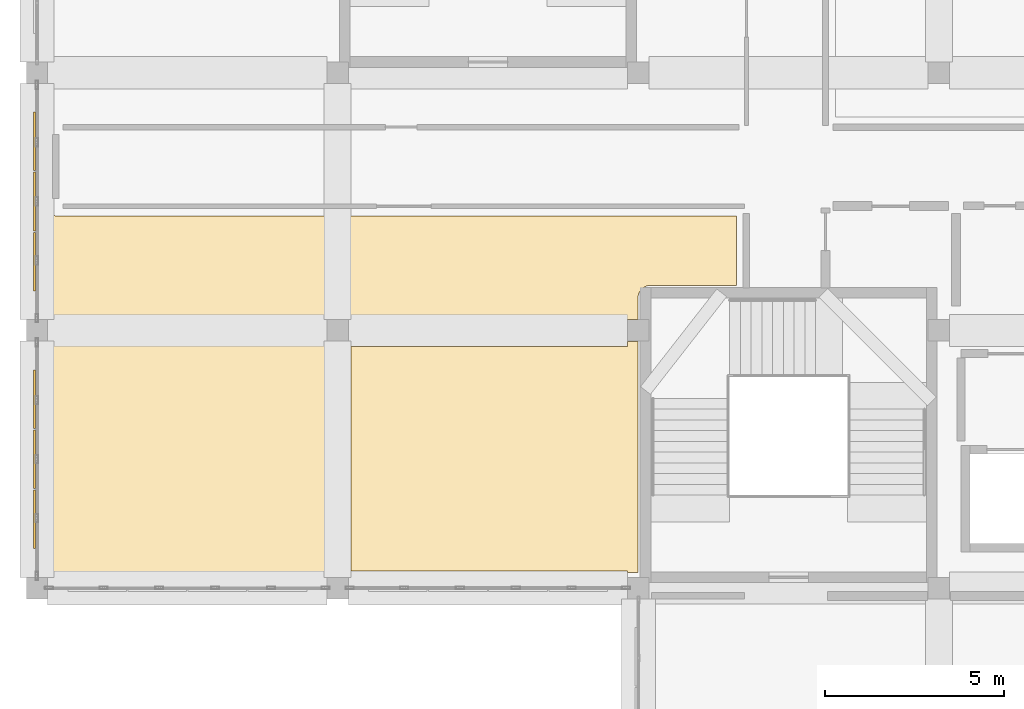
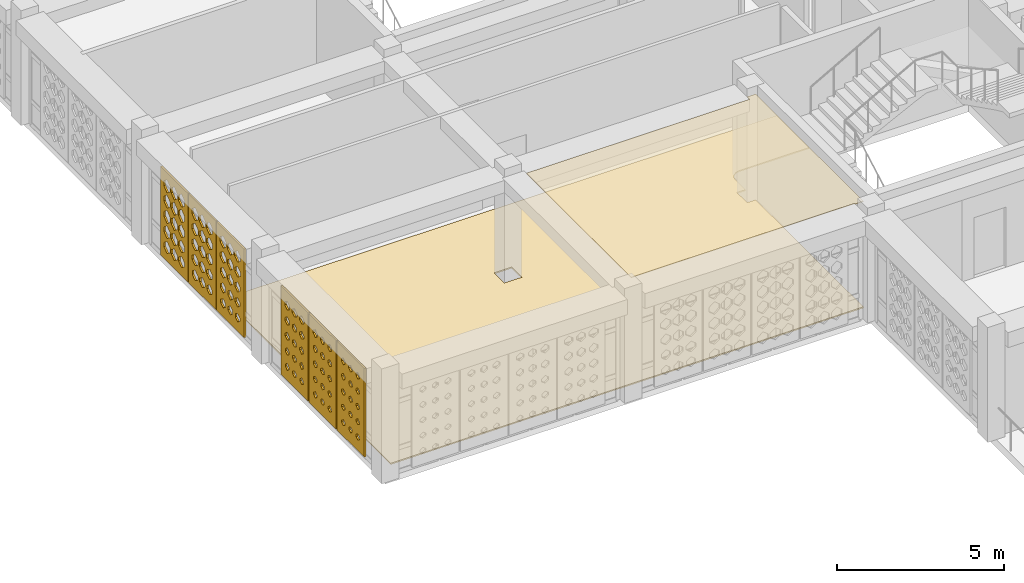
# One storey, part 36 of 48: 8 coverings.
"""IFC4 building model written with IfcOpenShell, lengths in metres."""

from ifc_helpers import new_model, si_unit, derived_unit, direction, frame, origin, place, context, subcontext, project, spatial, polyline, outline, extrude, material, layer, layer_set, type_object, element, save


model = new_model("IFC4")

# Units and contexts
model_context = context("Model", 3, precision=1e-05, world=origin(), true_north=direction((0.0, 1.0)))
body_context = subcontext(model_context, "Body", "Model", "MODEL_VIEW")
ifc_project = project(units=[si_unit("LENGTHUNIT", "METRE"), si_unit("AREAUNIT", "SQUARE_METRE"), si_unit("VOLUMEUNIT", "CUBIC_METRE"), si_unit("PLANEANGLEUNIT", "RADIAN"), si_unit("MASSUNIT", "GRAM", prefix="KILO"), derived_unit("THERMALTRANSMITTANCEUNIT", [(si_unit("POWERUNIT", "WATT"), 1), (si_unit("LENGTHUNIT", "METRE"), -2), (si_unit("THERMODYNAMICTEMPERATUREUNIT", "KELVIN"), -1)])], contexts=[model_context])

# Site, building, storey
site_placement = place(None, origin())
site = spatial("IfcSite", under=ifc_project, at=site_placement, CompositionType="ELEMENT")
building_placement = place(site_placement, origin())
building = spatial("IfcBuilding", under=site, at=building_placement, Name="Veybourne Emporium", CompositionType="ELEMENT")
storey_placement = place(building_placement, frame((0.0, 0.0, 27.89990234375)))
storey = spatial("IfcBuildingStorey", under=building, at=storey_placement, Name="L06", CompositionType="ELEMENT", Elevation=27.89990234375)

# Coverings
ifc_material_1 = material(Name="Mineral Acoustic Ceiling", Category="gypsum")
ifc_layer_1 = layer(ifc_material_1, 0.02490234375)
ifc_layer_set_1 = layer_set([ifc_layer_1], Name="Mineral Acoustic Ceiling")
covering_type_1 = type_object("IfcCoveringType", Name="Ceiling_CLG-01", PredefinedType="CEILING", material=ifc_layer_set_1)
covering_1_placement = place(storey_placement, frame((0.0, 0.0, 3.885009765625)))
element("IfcCovering", 1, at=covering_1_placement, inside=storey, type_object=covering_type_1, Name="L06 coffered acoustic ceiling 03", PredefinedType="CEILING", context=body_context, shape_type="SweptSolid", body=[
    extrude(outline(polyline([(16.7900390625, 21.294921875), (16.7900390625, 14.85009765625), (16.790283203125, 14.840087890625), (16.790283203125, 14.840087890625), (16.5, 14.840087890625), (16.5, 14.873046875), (8.77294921875, 14.873046875), (8.77294921875, 21.152099609375), (16.5, 21.152099609375), (16.5, 21.294921875), (16.7900390625, 21.294921875)])), origin(), (0.0, 0.0, 1.0), 0.025146484375),
])
ifc_material_2 = material(Name="Venetian Terrazzo Flooring", Category="masonry")
ifc_layer_2 = layer(ifc_material_2, 0.044921875)
ifc_layer_set_2 = layer_set([ifc_layer_2], Name="Venetian Terrazzo Flooring")
covering_type_2 = type_object("IfcCoveringType", Name="Flooring_FLR-01", PredefinedType="FLOORING", material=ifc_layer_set_2)
covering_2_placement = place(storey_placement, origin())
element("IfcCovering", 2, at=covering_2_placement, inside=storey, type_object=covering_type_2, Name="L06 floor finish 03", PredefinedType="FLOORING", context=body_context, shape_type="SweptSolid", body=[
    extrude(outline(polyline([(0.453369140625, 24.8212890625), (0.471435546875, 24.81396484375), (0.486083984375, 24.80859375), (0.5048828125, 24.802978515625), (0.520263671875, 24.799072265625), (0.53955078125, 24.795166015625), (0.554931640625, 24.79296875), (0.574462890625, 24.791015625), (0.590087890625, 24.790283203125), (0.60009765625, 24.7900390625), (19.5400390625, 24.7900390625), (19.5400390625, 22.860107421875), (17.14990234375, 22.860107421875), (17.14013671875, 22.85986328125), (17.12451171875, 22.85888671875), (17.10498046875, 22.857177734375), (17.089599609375, 22.854736328125), (17.070068359375, 22.850830078125), (17.054931640625, 22.84716796875), (17.0361328125, 22.84130859375), (17.021484375, 22.836181640625), (17.003173828125, 22.82861328125), (16.989013671875, 22.822021484375), (16.9716796875, 22.812744140625), (16.958251953125, 22.8046875), (16.94189453125, 22.793701171875), (16.92919921875, 22.7841796875), (16.914306640625, 22.77197265625), (16.902587890625, 22.761474609375), (16.888671875, 22.747314453125), (16.878173828125, 22.73583984375), (16.86572265625, 22.720703125), (16.8564453125, 22.7080078125), (16.845458984375, 22.691650390625), (16.83740234375, 22.67822265625), (16.828125, 22.660888671875), (16.8212890625, 22.646728515625), (16.81396484375, 22.628662109375), (16.80859375, 22.61376953125), (16.802978515625, 22.594970703125), (16.799072265625, 22.579833984375), (16.795166015625, 22.560546875), (16.79296875, 22.544921875), (16.791015625, 22.525390625), (16.790283203125, 22.509765625), (16.7900390625, 22.5), (16.7900390625, 21.905029296875), (16.4951171875, 21.905029296875), (16.4951171875, 21.294921875), (16.7900390625, 21.294921875), (16.7900390625, 14.85009765625), (16.790283203125, 14.840087890625), (16.790283203125, 14.840087890625), (0.43994140625, 14.840087890625), (0.43994140625, 24.82763671875), (0.453369140625, 24.8212890625)]), holes=[polyline([(8.094970703125, 21.294921875), (8.705078125, 21.294921875), (8.705078125, 21.905029296875), (8.094970703125, 21.905029296875), (8.094970703125, 21.294921875)])]), origin(), (0.0, 0.0, 1.0), 0.045166015625),
])
ifc_material_3 = material(Name="Warm-White Perforated Aluminium Screen Alloy", Category="aluminium")
ifc_layer_3 = layer(ifc_material_3, 0.06005859375)
ifc_layer_set_3 = layer_set([ifc_layer_3], Name="Warm-White Perforated Aluminium Screen Alloy")
covering_type_3 = type_object("IfcCoveringType", Name="WaveScreen_SCR-01", PredefinedType="CLADDING", material=ifc_layer_set_3)
covering_3_placement = place(storey_placement, frame((-0.096923828125, 26.8798828125, 1.68017578125), z_axis=(1.0, 0.0, 0.0), x_axis=(0.0, 1.0, 0.0)))
element("IfcCovering", 3, at=covering_3_placement, inside=storey, type_object=covering_type_3, Name="L06 wave-perforated aluminium screen SCR-01 (3C.3)", PredefinedType="CLADDING", context=body_context, shape_type="SweptSolid", body=[
    extrude(outline(polyline([(-0.81982421875, -1.6201171875), (0.81982421875, -1.6201171875), (0.81982421875, 1.6201171875), (-0.81982421875, 1.6201171875), (-0.81982421875, -1.6201171875)]), holes=[polyline([(-0.433349609375, -0.9150390625), (-0.255615234375, -1.046142578125), (-0.255615234375, -1.19384765625), (-0.433349609375, -1.324951171875), (-0.611083984375, -1.19384765625), (-0.611083984375, -1.046142578125), (-0.433349609375, -0.9150390625)]), polyline([(-0.433349609375, -0.342529296875), (-0.2470703125, -0.481689453125), (-0.2470703125, -0.63818359375), (-0.433349609375, -0.777587890625), (-0.61962890625, -0.63818359375), (-0.61962890625, -0.481689453125), (-0.433349609375, -0.342529296875)]), polyline([(-0.433349609375, 0.2294921875), (-0.2470703125, 0.08251953125), (-0.2470703125, -0.08251953125), (-0.433349609375, -0.2294921875), (-0.61962890625, -0.08251953125), (-0.61962890625, 0.08251953125), (-0.433349609375, 0.2294921875)]), polyline([(-0.433349609375, 0.800537109375), (-0.2470703125, 0.646484375), (-0.2470703125, 0.473388671875), (-0.433349609375, 0.319580078125), (-0.61962890625, 0.473388671875), (-0.61962890625, 0.646484375), (-0.433349609375, 0.800537109375)]), polyline([(-0.433349609375, 1.36083984375), (-0.2470703125, 1.206787109375), (-0.2470703125, 1.033203125), (-0.433349609375, 0.879150390625), (-0.61962890625, 1.033203125), (-0.61962890625, 1.206787109375), (-0.433349609375, 1.36083984375)]), polyline([(0.0, -0.90869140625), (0.182861328125, -1.0439453125), (0.182861328125, -1.196044921875), (0.0, -1.331298828125), (-0.182861328125, -1.196044921875), (-0.182861328125, -1.0439453125), (0.0, -0.90869140625)]), polyline([(0.0, -0.33642578125), (0.186279296875, -0.4794921875), (0.186279296875, -0.640380859375), (0.0, -0.783447265625), (-0.186279296875, -0.640380859375), (-0.186279296875, -0.4794921875), (0.0, -0.33642578125)]), polyline([(0.0, 0.235107421875), (0.186279296875, 0.084716796875), (0.186279296875, -0.084716796875), (0.0, -0.235107421875), (-0.186279296875, -0.084716796875), (-0.186279296875, 0.084716796875), (0.0, 0.235107421875)]), polyline([(0.0, 0.80078125), (0.186279296875, 0.646728515625), (0.186279296875, 0.473388671875), (0.0, 0.319091796875), (-0.186279296875, 0.473388671875), (-0.186279296875, 0.646728515625), (0.0, 0.80078125)]), polyline([(0.0, 1.36083984375), (0.186279296875, 1.206787109375), (0.186279296875, 1.033203125), (0.0, 0.879150390625), (-0.186279296875, 1.033203125), (-0.186279296875, 1.206787109375), (0.0, 1.36083984375)]), polyline([(0.433349609375, -0.902587890625), (0.61962890625, -1.041748046875), (0.61962890625, -1.1982421875), (0.433349609375, -1.33740234375), (0.2470703125, -1.1982421875), (0.2470703125, -1.041748046875), (0.433349609375, -0.902587890625)]), polyline([(0.433349609375, -0.33056640625), (0.61962890625, -0.477294921875), (0.61962890625, -0.642578125), (0.433349609375, -0.789306640625), (0.2470703125, -0.642578125), (0.2470703125, -0.477294921875), (0.433349609375, -0.33056640625)]), polyline([(0.433349609375, 0.240478515625), (0.61962890625, 0.086669921875), (0.61962890625, -0.086669921875), (0.433349609375, -0.240478515625), (0.2470703125, -0.086669921875), (0.2470703125, 0.086669921875), (0.433349609375, 0.240478515625)]), polyline([(0.433349609375, 0.80078125), (0.61962890625, 0.646728515625), (0.61962890625, 0.473388671875), (0.433349609375, 0.319091796875), (0.2470703125, 0.473388671875), (0.2470703125, 0.646728515625), (0.433349609375, 0.80078125)]), polyline([(0.433349609375, 1.36083984375), (0.61962890625, 1.206787109375), (0.61962890625, 1.033203125), (0.433349609375, 0.879150390625), (0.2470703125, 1.033203125), (0.2470703125, 1.206787109375), (0.433349609375, 1.36083984375)])]), origin(), (0.0, 0.0, 1.0), 0.06005859375),
])
ifc_layer_4 = layer(ifc_material_3, 0.06005859375)
ifc_layer_set_4 = layer_set([ifc_layer_4], Name="Warm-White Perforated Aluminium Screen Alloy")
covering_type_4 = type_object("IfcCoveringType", Name="WaveScreen_SCR-02", PredefinedType="CLADDING", material=ifc_layer_set_4)
covering_4_placement = place(storey_placement, frame((-0.095458984375, 16.320068359375, 1.68017578125), z_axis=(1.0, 0.0, 0.0), x_axis=(0.0, 1.0, 0.0)))
element("IfcCovering", 4, at=covering_4_placement, inside=storey, type_object=covering_type_4, Name="L06 wave-perforated aluminium screen SCR-02 (2C.1)", PredefinedType="CLADDING", context=body_context, shape_type="SweptSolid", body=[
    extrude(outline(polyline([(-0.81982421875, -1.6201171875), (0.81982421875, -1.6201171875), (0.81982421875, 1.6201171875), (-0.81982421875, 1.6201171875), (-0.81982421875, -1.6201171875)]), holes=[polyline([(-0.433349609375, -1.0087890625), (-0.332275390625, -1.079833984375), (-0.332275390625, -1.16015625), (-0.433349609375, -1.231201171875), (-0.534423828125, -1.16015625), (-0.534423828125, -1.079833984375), (-0.433349609375, -1.0087890625)]), polyline([(-0.433349609375, -0.449951171875), (-0.333251953125, -0.5205078125), (-0.333251953125, -0.599609375), (-0.433349609375, -0.669921875), (-0.533203125, -0.599609375), (-0.533203125, -0.5205078125), (-0.433349609375, -0.449951171875)]), polyline([(-0.433349609375, 0.110595703125), (-0.332763671875, 0.039794921875), (-0.332763671875, -0.039794921875), (-0.433349609375, -0.110595703125), (-0.533935546875, -0.039794921875), (-0.533935546875, 0.039794921875), (-0.433349609375, 0.110595703125)]), polyline([(-0.433349609375, 0.673583984375), (-0.33056640625, 0.600830078125), (-0.33056640625, 0.51904296875), (-0.433349609375, 0.446533203125), (-0.5361328125, 0.51904296875), (-0.5361328125, 0.600830078125), (-0.433349609375, 0.673583984375)]), polyline([(-0.433349609375, 1.238037109375), (-0.32666015625, 1.16259765625), (-0.32666015625, 1.077392578125), (-0.433349609375, 1.001953125), (-0.5400390625, 1.077392578125), (-0.5400390625, 1.16259765625), (-0.433349609375, 1.238037109375)]), polyline([(0.0, -1.009521484375), (0.100341796875, -1.080078125), (0.100341796875, -1.159912109375), (0.0, -1.23046875), (-0.100341796875, -1.159912109375), (-0.100341796875, -1.080078125), (0.0, -1.009521484375)]), polyline([(0.0, -0.449951171875), (0.10009765625, -0.5205078125), (0.10009765625, -0.599609375), (0.0, -0.670166015625), (-0.10009765625, -0.599609375), (-0.10009765625, -0.5205078125), (0.0, -0.449951171875)]), polyline([(0.0, 0.11181640625), (0.1015625, 0.040283203125), (0.1015625, -0.040283203125), (0.0, -0.11181640625), (-0.1015625, -0.040283203125), (-0.1015625, 0.040283203125), (0.0, 0.11181640625)]), polyline([(0.0, 0.675537109375), (0.1044921875, 0.6015625), (0.1044921875, 0.518310546875), (0.0, 0.4443359375), (-0.1044921875, 0.518310546875), (-0.1044921875, 0.6015625), (0.0, 0.675537109375)]), polyline([(0.0, 1.2412109375), (0.109130859375, 1.16357421875), (0.109130859375, 1.076416015625), (0.0, 0.998779296875), (-0.109130859375, 1.076416015625), (-0.109130859375, 1.16357421875), (0.0, 1.2412109375)]), polyline([(0.433349609375, -1.010009765625), (0.533447265625, -1.080322265625), (0.533447265625, -1.15966796875), (0.433349609375, -1.22998046875), (0.333251953125, -1.15966796875), (0.333251953125, -1.080322265625), (0.433349609375, -1.010009765625)]), polyline([(0.433349609375, -0.44921875), (0.533935546875, -0.52001953125), (0.533935546875, -0.599853515625), (0.433349609375, -0.670654296875), (0.332763671875, -0.599853515625), (0.332763671875, -0.52001953125), (0.433349609375, -0.44921875)]), polyline([(0.433349609375, 0.113525390625), (0.5361328125, 0.040771484375), (0.5361328125, -0.040771484375), (0.433349609375, -0.113525390625), (0.33056640625, -0.040771484375), (0.33056640625, 0.040771484375), (0.433349609375, 0.113525390625)]), polyline([(0.433349609375, 0.677978515625), (0.5400390625, 0.6025390625), (0.5400390625, 0.517578125), (0.433349609375, 0.44189453125), (0.32666015625, 0.517578125), (0.32666015625, 0.6025390625), (0.433349609375, 0.677978515625)]), polyline([(0.433349609375, 1.24462890625), (0.54541015625, 1.164794921875), (0.54541015625, 1.0751953125), (0.433349609375, 0.995361328125), (0.3212890625, 1.0751953125), (0.3212890625, 1.164794921875), (0.433349609375, 1.24462890625)])]), origin(), (0.0, 0.0, 1.0), 0.06005859375),
])
ifc_layer_5 = layer(ifc_material_3, 0.06005859375)
ifc_layer_set_5 = layer_set([ifc_layer_5], Name="Warm-White Perforated Aluminium Screen Alloy")
covering_type_5 = type_object("IfcCoveringType", Name="WaveScreen_SCR-03", PredefinedType="CLADDING", material=ifc_layer_set_5)
covering_5_placement = place(storey_placement, frame((-0.095458984375, 18.0, 1.68017578125), z_axis=(1.0, 0.0, 0.0), x_axis=(0.0, 1.0, 0.0)))
element("IfcCovering", 5, at=covering_5_placement, inside=storey, type_object=covering_type_5, Name="L06 wave-perforated aluminium screen SCR-03 (2C.2)", PredefinedType="CLADDING", context=body_context, shape_type="SweptSolid", body=[
    extrude(outline(polyline([(-0.81982421875, -1.6201171875), (0.81982421875, -1.6201171875), (0.81982421875, 1.6201171875), (-0.81982421875, 1.6201171875), (-0.81982421875, -1.6201171875)]), holes=[polyline([(-0.433349609375, -1.009521484375), (-0.332763671875, -1.080078125), (-0.332763671875, -1.159912109375), (-0.433349609375, -1.230712890625), (-0.53369140625, -1.159912109375), (-0.53369140625, -1.080078125), (-0.433349609375, -1.009521484375)]), polyline([(-0.433349609375, -0.44677734375), (-0.330810546875, -0.519287109375), (-0.330810546875, -0.600830078125), (-0.433349609375, -0.673095703125), (-0.535888671875, -0.600830078125), (-0.535888671875, -0.519287109375), (-0.433349609375, -0.44677734375)]), polyline([(-0.433349609375, 0.117919921875), (-0.326904296875, 0.04248046875), (-0.326904296875, -0.04248046875), (-0.433349609375, -0.117919921875), (-0.539794921875, -0.04248046875), (-0.539794921875, 0.04248046875), (-0.433349609375, 0.117919921875)]), polyline([(-0.433349609375, 0.68408203125), (-0.32177734375, 0.604736328125), (-0.32177734375, 0.515380859375), (-0.433349609375, 0.435791015625), (-0.544921875, 0.515380859375), (-0.544921875, 0.604736328125), (-0.433349609375, 0.68408203125)]), polyline([(-0.433349609375, 1.252197265625), (-0.315185546875, 1.16748046875), (-0.315185546875, 1.072509765625), (-0.433349609375, 0.98779296875), (-0.551513671875, 1.072509765625), (-0.551513671875, 1.16748046875), (-0.433349609375, 1.252197265625)]), polyline([(0.0, -1.00830078125), (0.101318359375, -1.079833984375), (0.101318359375, -1.16015625), (0.0, -1.231689453125), (-0.101318359375, -1.16015625), (-0.101318359375, -1.079833984375), (0.0, -1.00830078125)]), polyline([(0.0, -0.44482421875), (0.104248046875, -0.5185546875), (0.104248046875, -0.6015625), (0.0, -0.67529296875), (-0.104248046875, -0.6015625), (-0.104248046875, -0.5185546875), (0.0, -0.44482421875)]), polyline([(0.0, 0.12060546875), (0.10888671875, 0.04345703125), (0.10888671875, -0.04345703125), (0.0, -0.12060546875), (-0.10888671875, -0.04345703125), (-0.10888671875, 0.04345703125), (0.0, 0.12060546875)]), polyline([(0.0, 0.68798828125), (0.11474609375, 0.606201171875), (0.11474609375, 0.513916015625), (0.0, 0.43212890625), (-0.11474609375, 0.513916015625), (-0.11474609375, 0.606201171875), (0.0, 0.68798828125)]), polyline([(0.0, 1.256591796875), (0.121826171875, 1.169189453125), (0.121826171875, 1.07080078125), (0.0, 0.9833984375), (-0.121826171875, 1.07080078125), (-0.121826171875, 1.169189453125), (0.0, 1.256591796875)]), polyline([(0.433349609375, -1.0068359375), (0.535888671875, -1.0791015625), (0.535888671875, -1.160888671875), (0.433349609375, -1.233154296875), (0.330810546875, -1.160888671875), (0.330810546875, -1.0791015625), (0.433349609375, -1.0068359375)]), polyline([(0.433349609375, -0.4423828125), (0.539794921875, -0.517578125), (0.539794921875, -0.602294921875), (0.433349609375, -0.677734375), (0.326904296875, -0.602294921875), (0.326904296875, -0.517578125), (0.433349609375, -0.4423828125)]), polyline([(0.433349609375, 0.1240234375), (0.544921875, 0.044677734375), (0.544921875, -0.044677734375), (0.433349609375, -0.1240234375), (0.32177734375, -0.044677734375), (0.32177734375, 0.044677734375), (0.433349609375, 0.1240234375)]), polyline([(0.433349609375, 0.692138671875), (0.551513671875, 0.607666015625), (0.551513671875, 0.512451171875), (0.433349609375, 0.427978515625), (0.315185546875, 0.512451171875), (0.315185546875, 0.607666015625), (0.433349609375, 0.692138671875)]), polyline([(0.433349609375, 1.26171875), (0.55908203125, 1.1708984375), (0.55908203125, 1.069091796875), (0.433349609375, 0.978515625), (0.307373046875, 1.069091796875), (0.307373046875, 1.1708984375), (0.433349609375, 1.26171875)])]), origin(), (0.0, 0.0, 1.0), 0.06005859375),
])
covering_6_placement = place(storey_placement, frame((-0.096923828125, 23.52001953125, 1.68017578125), z_axis=(1.0, 0.0, 0.0), x_axis=(0.0, 1.0, 0.0)))
element("IfcCovering", 6, at=covering_6_placement, inside=storey, type_object=covering_type_5, Name="L06 wave-perforated aluminium screen SCR-03 (3C.1)", PredefinedType="CLADDING", context=body_context, shape_type="SweptSolid", body=[
    extrude(outline(polyline([(-0.81982421875, -1.6201171875), (0.81982421875, -1.6201171875), (0.81982421875, 1.6201171875), (-0.81982421875, 1.6201171875), (-0.81982421875, -1.6201171875)]), holes=[polyline([(-0.433349609375, -0.963623046875), (-0.29541015625, -1.063720703125), (-0.29541015625, -1.17626953125), (-0.433349609375, -1.2763671875), (-0.5712890625, -1.17626953125), (-0.5712890625, -1.063720703125), (-0.433349609375, -0.963623046875)]), polyline([(-0.433349609375, -0.3916015625), (-0.28564453125, -0.49951171875), (-0.28564453125, -0.62060546875), (-0.433349609375, -0.728271484375), (-0.5810546875, -0.62060546875), (-0.5810546875, -0.49951171875), (-0.433349609375, -0.3916015625)]), polyline([(-0.433349609375, 0.180908203125), (-0.275390625, 0.065185546875), (-0.275390625, -0.065185546875), (-0.433349609375, -0.180908203125), (-0.59130859375, -0.065185546875), (-0.59130859375, 0.065185546875), (-0.433349609375, 0.180908203125)]), polyline([(-0.433349609375, 0.75390625), (-0.2646484375, 0.6298828125), (-0.2646484375, 0.490234375), (-0.433349609375, 0.3662109375), (-0.601806640625, 0.490234375), (-0.601806640625, 0.6298828125), (-0.433349609375, 0.75390625)]), polyline([(-0.433349609375, 1.32666015625), (-0.254150390625, 1.1943359375), (-0.254150390625, 1.045654296875), (-0.433349609375, 0.913330078125), (-0.612548828125, 1.045654296875), (-0.612548828125, 1.1943359375), (-0.433349609375, 1.32666015625)]), polyline([(0.0, -0.957763671875), (0.142578125, -1.0615234375), (0.142578125, -1.178466796875), (0.0, -1.2822265625), (-0.142578125, -1.178466796875), (-0.142578125, -1.0615234375), (0.0, -0.957763671875)]), polyline([(0.0, -0.385498046875), (0.15283203125, -0.497314453125), (0.15283203125, -0.622802734375), (0.0, -0.734619140625), (-0.15283203125, -0.622802734375), (-0.15283203125, -0.497314453125), (0.0, -0.385498046875)]), polyline([(0.0, 0.1875), (0.163330078125, 0.0673828125), (0.163330078125, -0.0673828125), (0.0, -0.1875), (-0.163330078125, -0.0673828125), (-0.163330078125, 0.0673828125), (0.0, 0.1875)]), polyline([(0.0, 0.76025390625), (0.173828125, 0.632080078125), (0.173828125, 0.48779296875), (0.0, 0.359619140625), (-0.173828125, 0.48779296875), (-0.173828125, 0.632080078125), (0.0, 0.76025390625)]), polyline([(0.0, 1.3330078125), (0.184326171875, 1.19677734375), (0.184326171875, 1.043212890625), (0.0, 0.906982421875), (-0.184326171875, 1.043212890625), (-0.184326171875, 1.19677734375), (0.0, 1.3330078125)]), polyline([(0.433349609375, -0.95166015625), (0.5810546875, -1.059326171875), (0.5810546875, -1.1806640625), (0.433349609375, -1.288330078125), (0.28564453125, -1.1806640625), (0.28564453125, -1.059326171875), (0.433349609375, -0.95166015625)]), polyline([(0.433349609375, -0.379150390625), (0.59130859375, -0.494873046875), (0.59130859375, -0.625), (0.433349609375, -0.740966796875), (0.275390625, -0.625), (0.275390625, -0.494873046875), (0.433349609375, -0.379150390625)]), polyline([(0.433349609375, 0.19384765625), (0.601806640625, 0.06982421875), (0.601806640625, -0.06982421875), (0.433349609375, -0.19384765625), (0.264892578125, -0.06982421875), (0.264892578125, 0.06982421875), (0.433349609375, 0.19384765625)]), polyline([(0.433349609375, 0.7666015625), (0.6123046875, 0.634521484375), (0.6123046875, 0.485595703125), (0.433349609375, 0.353271484375), (0.25439453125, 0.485595703125), (0.25439453125, 0.634521484375), (0.433349609375, 0.7666015625)]), polyline([(0.433349609375, 1.339111328125), (0.61962890625, 1.198974609375), (0.61962890625, 1.041015625), (0.433349609375, 0.90087890625), (0.2470703125, 1.041015625), (0.2470703125, 1.198974609375), (0.433349609375, 1.339111328125)])]), origin(), (0.0, 0.0, 1.0), 0.06005859375),
])
ifc_layer_6 = layer(ifc_material_3, 0.06005859375)
ifc_layer_set_6 = layer_set([ifc_layer_6], Name="Warm-White Perforated Aluminium Screen Alloy")
covering_type_6 = type_object("IfcCoveringType", Name="WaveScreen_SCR-04", PredefinedType="CLADDING", material=ifc_layer_set_6)
covering_7_placement = place(storey_placement, frame((-0.095458984375, 19.679931640625, 1.68017578125), z_axis=(1.0, 0.0, 0.0), x_axis=(0.0, 1.0, 0.0)))
element("IfcCovering", 7, at=covering_7_placement, inside=storey, type_object=covering_type_6, Name="L06 wave-perforated aluminium screen SCR-04 (2C.3)", PredefinedType="CLADDING", context=body_context, shape_type="SweptSolid", body=[
    extrude(outline(polyline([(-0.81982421875, -1.6201171875), (0.81982421875, -1.6201171875), (0.81982421875, 1.6201171875), (-0.81982421875, 1.6201171875), (-0.81982421875, -1.6201171875)]), holes=[polyline([(-0.433349609375, -1.002685546875), (-0.327392578125, -1.07763671875), (-0.327392578125, -1.162353515625), (-0.433349609375, -1.2373046875), (-0.539306640625, -1.162353515625), (-0.539306640625, -1.07763671875), (-0.433349609375, -1.002685546875)]), polyline([(-0.433349609375, -0.436279296875), (-0.322265625, -0.515380859375), (-0.322265625, -0.6044921875), (-0.433349609375, -0.68359375), (-0.54443359375, -0.6044921875), (-0.54443359375, -0.515380859375), (-0.433349609375, -0.436279296875)]), polyline([(-0.433349609375, 0.131591796875), (-0.315673828125, 0.04736328125), (-0.315673828125, -0.04736328125), (-0.433349609375, -0.131591796875), (-0.551025390625, -0.04736328125), (-0.551025390625, 0.04736328125), (-0.433349609375, 0.131591796875)]), polyline([(-0.433349609375, 0.700927734375), (-0.30810546875, 0.61083984375), (-0.30810546875, 0.50927734375), (-0.433349609375, 0.4189453125), (-0.55859375, 0.50927734375), (-0.55859375, 0.61083984375), (-0.433349609375, 0.700927734375)]), polyline([(-0.433349609375, 1.271728515625), (-0.29931640625, 1.174560546875), (-0.29931640625, 1.0654296875), (-0.433349609375, 0.96826171875), (-0.5673828125, 1.0654296875), (-0.5673828125, 1.174560546875), (-0.433349609375, 1.271728515625)]), polyline([(0.0, -0.999755859375), (0.1083984375, -1.07666015625), (0.1083984375, -1.163330078125), (0.0, -1.240234375), (-0.1083984375, -1.163330078125), (-0.1083984375, -1.07666015625), (0.0, -0.999755859375)]), polyline([(0.0, -0.4326171875), (0.1142578125, -0.51416015625), (0.1142578125, -0.605712890625), (0.0, -0.6875), (-0.1142578125, -0.605712890625), (-0.1142578125, -0.51416015625), (0.0, -0.4326171875)]), polyline([(0.0, 0.135986328125), (0.121337890625, 0.049072265625), (0.121337890625, -0.049072265625), (0.0, -0.135986328125), (-0.121337890625, -0.049072265625), (-0.121337890625, 0.049072265625), (0.0, 0.135986328125)]), polyline([(0.0, 0.706298828125), (0.129638671875, 0.612548828125), (0.129638671875, 0.50732421875), (0.0, 0.413818359375), (-0.129638671875, 0.50732421875), (-0.129638671875, 0.612548828125), (0.0, 0.706298828125)]), polyline([(0.0, 1.27734375), (0.138916015625, 1.1767578125), (0.138916015625, 1.063232421875), (0.0, 0.962646484375), (-0.138916015625, 1.063232421875), (-0.138916015625, 1.1767578125), (0.0, 1.27734375)]), polyline([(0.433349609375, -0.996337890625), (0.54443359375, -1.075439453125), (0.54443359375, -1.16455078125), (0.433349609375, -1.24365234375), (0.322265625, -1.16455078125), (0.322265625, -1.075439453125), (0.433349609375, -0.996337890625)]), polyline([(0.433349609375, -0.428466796875), (0.55078125, -0.5126953125), (0.55078125, -0.607421875), (0.433349609375, -0.69140625), (0.315673828125, -0.607421875), (0.315673828125, -0.5126953125), (0.433349609375, -0.428466796875)]), polyline([(0.433349609375, 0.140869140625), (0.55859375, 0.05078125), (0.55859375, -0.05078125), (0.433349609375, -0.140869140625), (0.30810546875, -0.05078125), (0.30810546875, 0.05078125), (0.433349609375, 0.140869140625)]), polyline([(0.433349609375, 0.711669921875), (0.5673828125, 0.614501953125), (0.5673828125, 0.50537109375), (0.433349609375, 0.408447265625), (0.29931640625, 0.50537109375), (0.29931640625, 0.614501953125), (0.433349609375, 0.711669921875)]), polyline([(0.433349609375, 1.283203125), (0.576904296875, 1.1787109375), (0.576904296875, 1.061279296875), (0.433349609375, 0.956787109375), (0.289794921875, 1.061279296875), (0.289794921875, 1.1787109375), (0.433349609375, 1.283203125)])]), origin(), (0.0, 0.0, 1.0), 0.06005859375),
])
covering_8_placement = place(storey_placement, frame((-0.096923828125, 25.199951171875, 1.68017578125), z_axis=(1.0, 0.0, 0.0), x_axis=(0.0, 1.0, 0.0)))
element("IfcCovering", 8, at=covering_8_placement, inside=storey, type_object=covering_type_6, Name="L06 wave-perforated aluminium screen SCR-04 (3C.2)", PredefinedType="CLADDING", context=body_context, shape_type="SweptSolid", body=[
    extrude(outline(polyline([(-0.81982421875, -1.6201171875), (0.81982421875, -1.6201171875), (0.81982421875, 1.6201171875), (-0.81982421875, 1.6201171875), (-0.81982421875, -1.6201171875)]), holes=[polyline([(-0.433349609375, -0.93994140625), (-0.27587890625, -1.05517578125), (-0.27587890625, -1.184814453125), (-0.433349609375, -1.300048828125), (-0.590576171875, -1.184814453125), (-0.590576171875, -1.05517578125), (-0.433349609375, -0.93994140625)]), polyline([(-0.433349609375, -0.3671875), (-0.265380859375, -0.490478515625), (-0.265380859375, -0.62939453125), (-0.433349609375, -0.7529296875), (-0.601318359375, -0.62939453125), (-0.601318359375, -0.490478515625), (-0.433349609375, -0.3671875)]), polyline([(-0.433349609375, 0.205810546875), (-0.2548828125, 0.07421875), (-0.2548828125, -0.07421875), (-0.433349609375, -0.205810546875), (-0.61181640625, -0.07421875), (-0.61181640625, 0.07421875), (-0.433349609375, 0.205810546875)]), polyline([(-0.433349609375, 0.7783203125), (-0.2470703125, 0.638671875), (-0.2470703125, 0.4814453125), (-0.433349609375, 0.341552734375), (-0.61962890625, 0.4814453125), (-0.61962890625, 0.638671875), (-0.433349609375, 0.7783203125)]), polyline([(-0.433349609375, 1.350341796875), (-0.2470703125, 1.202880859375), (-0.2470703125, 1.037109375), (-0.433349609375, 0.8896484375), (-0.61962890625, 1.037109375), (-0.61962890625, 1.202880859375), (-0.433349609375, 1.350341796875)]), polyline([(0.0, -0.93359375), (0.16259765625, -1.052978515625), (0.16259765625, -1.18701171875), (0.0, -1.306396484375), (-0.16259765625, -1.18701171875), (-0.16259765625, -1.052978515625), (0.0, -0.93359375)]), polyline([(0.0, -0.360595703125), (0.173095703125, -0.48828125), (0.173095703125, -0.6318359375), (0.0, -0.759521484375), (-0.173095703125, -0.6318359375), (-0.173095703125, -0.48828125), (0.0, -0.360595703125)]), polyline([(0.0, 0.212158203125), (0.18359375, 0.076416015625), (0.18359375, -0.076416015625), (0.0, -0.212158203125), (-0.18359375, -0.076416015625), (-0.18359375, 0.076416015625), (0.0, 0.212158203125)]), polyline([(0.0, 0.784423828125), (0.186279296875, 0.640869140625), (0.186279296875, 0.479248046875), (0.0, 0.335693359375), (-0.186279296875, 0.479248046875), (-0.186279296875, 0.640869140625), (0.0, 0.784423828125)]), polyline([(0.0, 1.35595703125), (0.186279296875, 1.204833984375), (0.186279296875, 1.03515625), (0.0, 0.884033203125), (-0.186279296875, 1.03515625), (-0.186279296875, 1.204833984375), (0.0, 1.35595703125)]), polyline([(0.433349609375, -0.927001953125), (0.60107421875, -1.050537109375), (0.60107421875, -1.189453125), (0.433349609375, -1.31298828125), (0.265380859375, -1.189453125), (0.265380859375, -1.050537109375), (0.433349609375, -0.927001953125)]), polyline([(0.433349609375, -0.354248046875), (0.61181640625, -0.48583984375), (0.61181640625, -0.634033203125), (0.433349609375, -0.765625), (0.2548828125, -0.634033203125), (0.2548828125, -0.48583984375), (0.433349609375, -0.354248046875)]), polyline([(0.433349609375, 0.21826171875), (0.61962890625, 0.07861328125), (0.61962890625, -0.07861328125), (0.433349609375, -0.21826171875), (0.2470703125, -0.07861328125), (0.2470703125, 0.07861328125), (0.433349609375, 0.21826171875)]), polyline([(0.433349609375, 0.790283203125), (0.61962890625, 0.642822265625), (0.61962890625, 0.47705078125), (0.433349609375, 0.329833984375), (0.2470703125, 0.47705078125), (0.2470703125, 0.642822265625), (0.433349609375, 0.790283203125)]), polyline([(0.433349609375, 1.36083984375), (0.61962890625, 1.206787109375), (0.61962890625, 1.033203125), (0.433349609375, 0.879150390625), (0.2470703125, 1.033203125), (0.2470703125, 1.206787109375), (0.433349609375, 1.36083984375)])]), origin(), (0.0, 0.0, 1.0), 0.06005859375),
])

save(model, "model.ifc")
